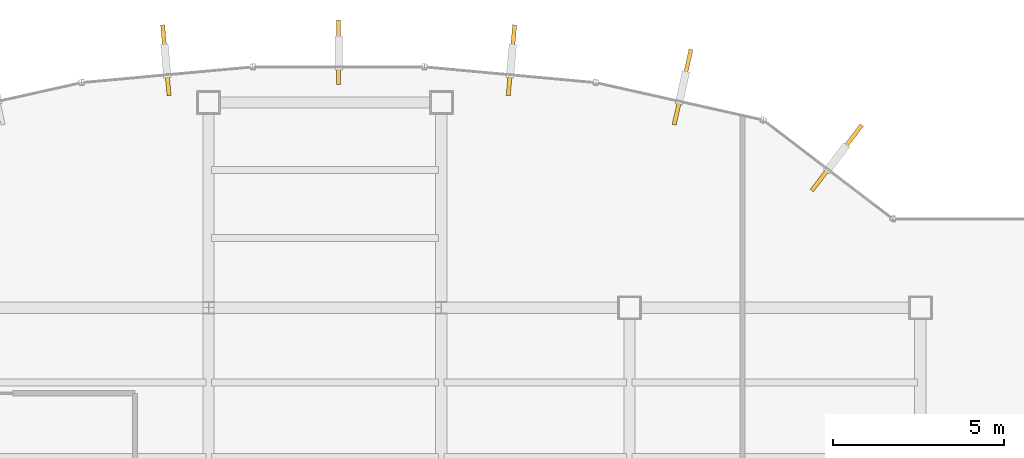
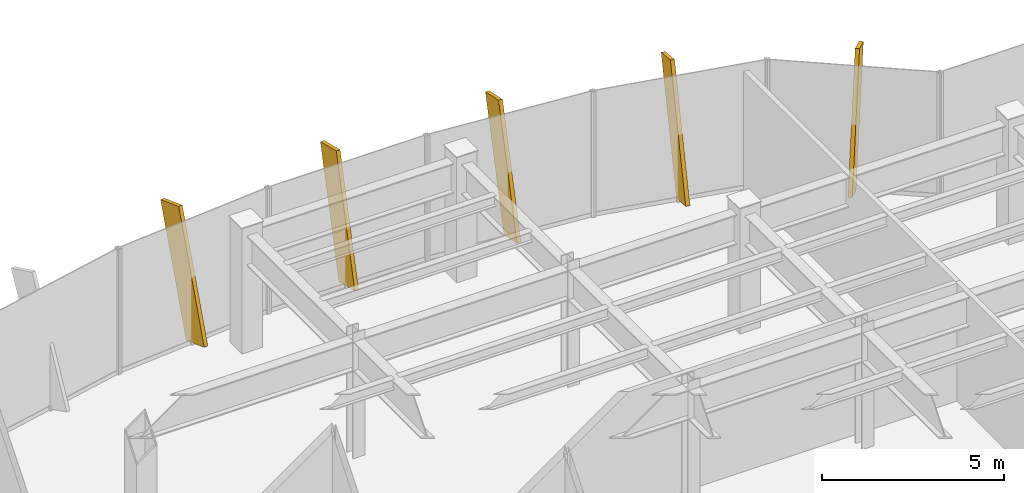
# One storey, part 24 of 26: 5 shading devices.
"""IFC4 building model written with IfcOpenShell, lengths in metres."""

from ifc_helpers import new_model, si_unit, derived_unit, direction, frame, origin, origin_2d, place, context, subcontext, project, spatial, rectangle, extrude, source, transform, mapped, material, type_object, element, save


model = new_model("IFC4")

# Units and contexts
model_context = context("Model", 3, precision=1e-05, world=origin(), true_north=direction((0.0, 1.0)))
body_context = subcontext(model_context, "Body", "Model", "MODEL_VIEW")
ifc_project = project(units=[si_unit("LENGTHUNIT", "METRE"), si_unit("AREAUNIT", "SQUARE_METRE"), si_unit("VOLUMEUNIT", "CUBIC_METRE"), si_unit("PLANEANGLEUNIT", "RADIAN"), si_unit("MASSUNIT", "GRAM", prefix="KILO"), derived_unit("THERMALTRANSMITTANCEUNIT", [(si_unit("POWERUNIT", "WATT"), 1), (si_unit("LENGTHUNIT", "METRE"), -2), (si_unit("THERMODYNAMICTEMPERATUREUNIT", "KELVIN"), -1)])], contexts=[model_context])

# Site, building, storey
site_placement = place(None, origin())
site = spatial("IfcSite", under=ifc_project, at=site_placement, CompositionType="ELEMENT")
building_placement = place(site_placement, origin())
building = spatial("IfcBuilding", under=site, at=building_placement, Name="Skarnbrae Concourse Arena and Tower", CompositionType="ELEMENT")
storey_placement = place(building_placement, frame((0.0, 0.0, 184.39990234375)))
storey = spatial("IfcBuildingStorey", under=building, at=storey_placement, Name="L47", CompositionType="ELEMENT", Elevation=184.39990234375)

# Shading devices
ifc_material = material(Name="Bronze anodised aluminium 6063-T6", Category="aluminium")
shading_device_type = type_object("IfcShadingDeviceType", Name="SHD-BRONZE-FIN-900", PredefinedType="USERDEFINED", material=ifc_material)
shared_shape = source(origin(), body_context, "Body", "SweptSolid", [
    extrude(rectangle(XDim=0.1201171875, YDim=0.89990234375, at=origin_2d()), origin(), (0.0, 0.0, 1.0), 4.199951171875),
])
for number, where, z_axis, x_axis, name in (
    (1, (39.08203125, 38.154541015625, 0.153076171875), (0.227360181444, 0.297924001033, 0.927118459261), (0.794954941871, -0.606668476513, 0.0), "L47 Outward-leaning bronze shading fin 08"),
    (2, (34.89892578125, 40.162841796875, 0.12158203125), (0.07307621312, 0.327058247596, 0.942174490079), (0.975935794812, -0.218058075762, 0.0), "L47 Outward-leaning bronze shading fin 09"),
    (3, (29.994873046875, 41.02978515625, 0.08984375), (0.026416928289, 0.287989819197, 0.957269037387), (0.99581928833, -0.091345196863, 0.0), "L47 Outward-leaning bronze shading fin 10"),
    (4, (25.0, 41.357421875, 0.0625), (0.0, 0.2419218956, 0.970295726276), (1.0, 0.0, 0.0), "L47 Outward-leaning bronze shading fin 11"),
    (5, (20.005126953125, 41.02978515625, 0.08984375), (-0.026416928289, 0.287989819197, 0.957269037387), (0.99581928833, 0.091345196863, 0.0), "L47 Outward-leaning bronze shading fin 12"),
):
    element("IfcShadingDevice", number, at=place(storey_placement, frame(where, z_axis=z_axis, x_axis=x_axis)), inside=storey, type_object=shading_device_type, Name=name, ObjectType="FIN", PredefinedType="USERDEFINED", context=body_context, shape_type="MappedRepresentation", body=[
        mapped(shared_shape, transform((0.0, 0.0, 0.0))),
    ])

save(model, "model.ifc")
